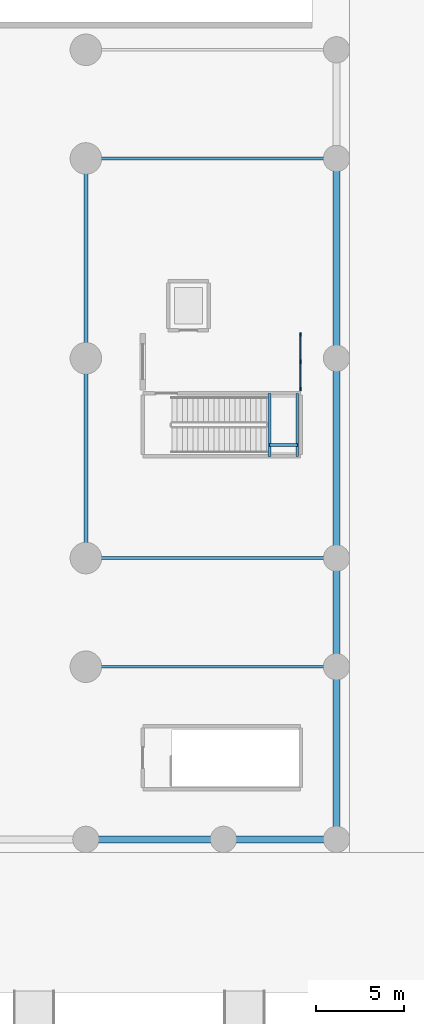
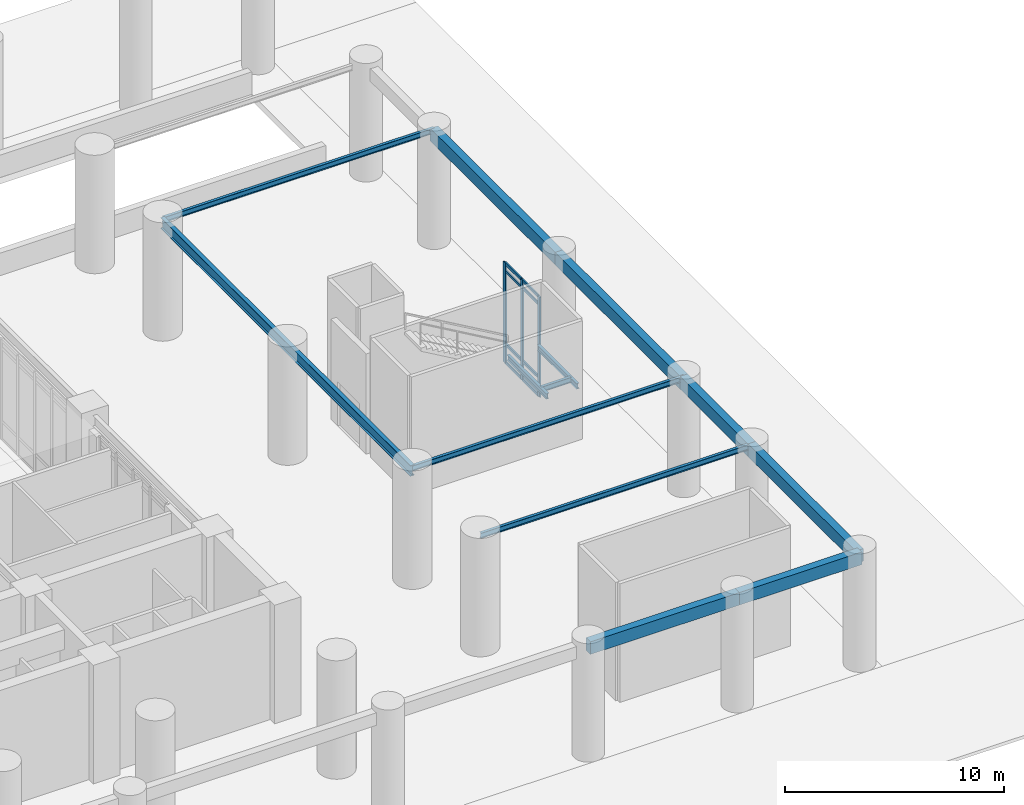
# One storey, part 4 of 16: 13 beams, 11 members, 1 element without a shape of its own.
"""IFC4 building model written with IfcOpenShell, lengths in metres."""

from ifc_helpers import new_model, si_unit, direction, frame, origin, origin_2d, place, context, subcontext, project, spatial, rectangle, i_section, extrude, material, material_profile, profile_set, type_object, element, aggregate, save


model = new_model("IFC4")

# Units and contexts
model_context = context("Model", 3, precision=1e-05, world=origin(), true_north=direction((0.0, 1.0)))
body_context = subcontext(model_context, "Body", "Model", "MODEL_VIEW")
ifc_project = project(units=[si_unit("LENGTHUNIT", "METRE"), si_unit("AREAUNIT", "SQUARE_METRE"), si_unit("VOLUMEUNIT", "CUBIC_METRE"), si_unit("PLANEANGLEUNIT", "RADIAN"), si_unit("MASSUNIT", "GRAM", prefix="KILO")], contexts=[model_context])

# Site, building, storey
site_placement = place(None, origin())
site = spatial("IfcSite", under=ifc_project, at=site_placement, CompositionType="ELEMENT")
building_placement = place(site_placement, origin())
building = spatial("IfcBuilding", under=site, at=building_placement, Name="Svetorya Sky Lyceum", CompositionType="ELEMENT")
storey_placement = place(building_placement, origin())
storey = spatial("IfcBuildingStorey", under=building, at=storey_placement, Name="L00", CompositionType="ELEMENT", Elevation=0.0)

# Beams
ifc_material_1 = material(Name="Concrete C50/60", Category="concrete")
ifc_material_profile_1 = material_profile(ifc_material_1, rectangle(XDim=0.39990234375, YDim=0.699951171875, at=origin_2d()), Name="RC SPANDREL 400x700")
ifc_profile_set_1 = profile_set([ifc_material_profile_1], Name="Concrete C50/60")
beam_type_1 = type_object("IfcBeamType", Name="BM-SPN-700", PredefinedType="SPANDREL", material=ifc_profile_set_1)
beam_1_placement = place(storey_placement, frame((63.35009765625, 0.75, 5.949951171875), z_axis=(1.0, 0.0, 0.0), x_axis=(0.0, 1.0, 0.0)))
element("IfcBeam", 1, at=beam_1_placement, inside=storey, type_object=beam_type_1, Name="L00 Podium South Spandrel 7", PredefinedType="SPANDREL", context=body_context, shape_type="SweptSolid", body=[
    extrude(rectangle(XDim=0.39990234375, YDim=0.699951171875, at=origin_2d()), origin(), (0.0, 0.0, 1.0), 7.849853515625),
])
beam_2_placement = place(storey_placement, frame((71.199951171875, 0.75, 5.949951171875), z_axis=(1.0, 0.0, 0.0), x_axis=(0.0, 1.0, 0.0)))
element("IfcBeam", 2, at=beam_2_placement, inside=storey, type_object=beam_type_1, Name="L00 Podium South Spandrel 8", PredefinedType="SPANDREL", context=body_context, shape_type="SweptSolid", body=[
    extrude(rectangle(XDim=0.39990234375, YDim=0.699951171875, at=origin_2d()), origin(), (0.0, 0.0, 1.0), 6.449951171875),
])
beam_3_placement = place(storey_placement, frame((77.64990234375, 0.75, 5.949951171875), z_axis=(0.0, 1.0, 0.0), x_axis=(-1.0, 0.0, 0.0)))
element("IfcBeam", 3, at=beam_3_placement, inside=storey, type_object=beam_type_1, Name="L00 Podium East Spandrel 1", PredefinedType="SPANDREL", context=body_context, shape_type="SweptSolid", body=[
    extrude(rectangle(XDim=0.39990234375, YDim=0.699951171875, at=origin_2d()), origin(), (0.0, 0.0, 1.0), 9.85009765625),
])
beam_4_placement = place(storey_placement, frame((77.64990234375, 10.60009765625, 5.949951171875), z_axis=(0.0, 1.0, 0.0), x_axis=(-1.0, 0.0, 0.0)))
element("IfcBeam", 4, at=beam_4_placement, inside=storey, type_object=beam_type_1, Name="L00 Podium East Spandrel 2", PredefinedType="SPANDREL", context=body_context, shape_type="SweptSolid", body=[
    extrude(rectangle(XDim=0.39990234375, YDim=0.699951171875, at=origin_2d()), origin(), (0.0, 0.0, 1.0), 6.199951171875),
])
beam_5_placement = place(storey_placement, frame((77.64990234375, 16.800048828125, 5.949951171875), z_axis=(0.0, 1.0, 0.0), x_axis=(-1.0, 0.0, 0.0)))
element("IfcBeam", 5, at=beam_5_placement, inside=storey, type_object=beam_type_1, Name="L00 Podium East Spandrel 3", PredefinedType="SPANDREL", context=body_context, shape_type="SweptSolid", body=[
    extrude(rectangle(XDim=0.39990234375, YDim=0.699951171875, at=origin_2d()), origin(), (0.0, 0.0, 1.0), 11.39990234375),
])
beam_6_placement = place(storey_placement, frame((77.64990234375, 28.199951171875, 5.949951171875), z_axis=(0.0, 1.0, 0.0), x_axis=(-1.0, 0.0, 0.0)))
element("IfcBeam", 6, at=beam_6_placement, inside=storey, type_object=beam_type_1, Name="L00 Podium East Spandrel 4", PredefinedType="SPANDREL", context=body_context, shape_type="SweptSolid", body=[
    extrude(rectangle(XDim=0.39990234375, YDim=0.699951171875, at=origin_2d()), origin(), (0.0, 0.0, 1.0), 11.400146484375),
])
ifc_material_2 = material(Name="Steel S355", Category="steel")
ifc_material_profile_2 = material_profile(ifc_material_2, i_section(OverallWidth=0.14990234375, OverallDepth=0.299072265625, WebThickness=0.006591796875, FlangeThickness=0.010498046875, at=origin_2d()), Name="GOST 30B2")
ifc_profile_set_2 = profile_set([ifc_material_profile_2], Name="Steel S355")
beam_type_2 = type_object("IfcBeamType", Name="BM-STL-30B2", PredefinedType="JOIST", material=ifc_profile_set_2)
for number, where, z_axis, x_axis, name in (
    (7, (63.35009765625, 10.60009765625, 6.150390625), (1.0, 0.0, 0.0), (0.0, 1.0, 0.0), "L00 Podium Wing Joist E1"),
    (8, (63.35009765625, 16.800048828125, 6.150390625), (1.0, 0.0, 0.0), (0.0, 1.0, 0.0), "L00 Podium Wing Joist E2"),
    (9, (63.35009765625, 39.60009765625, 6.150390625), (1.0, 0.0, 0.0), (0.0, 1.0, 0.0), "L00 Podium Wing Joist E3"),
):
    element("IfcBeam", number, at=place(storey_placement, frame(where, z_axis=z_axis, x_axis=x_axis)), inside=storey, type_object=beam_type_2, Name=name, PredefinedType="JOIST", context=body_context, shape_type="SweptSolid", body=[
        extrude(i_section(OverallWidth=0.14990234375, OverallDepth=0.299072265625, WebThickness=0.006591796875, FlangeThickness=0.010498046875, at=origin_2d()), origin(), (0.0, 0.0, 1.0), 14.2998046875),
    ])
for number, where, z_axis, x_axis, name in (
    (10, (73.830078125, 22.60009765625, 2.950439453125), (0.0, 1.0, 0.0), (-1.0, 0.0, 0.0), "L00 Stair ST-SCH-E Half-Landing Support Beam 1.1"),
    (11, (75.419921875, 22.60009765625, 2.950439453125), (0.0, 1.0, 0.0), (-1.0, 0.0, 0.0), "L00 Stair ST-SCH-E Half-Landing Support Beam 1.2"),
):
    element("IfcBeam", number, at=place(storey_placement, frame(where, z_axis=z_axis, x_axis=x_axis)), inside=storey, type_object=beam_type_2, Name=name, PredefinedType="JOIST", context=body_context, shape_type="SweptSolid", body=[
        extrude(i_section(OverallWidth=0.14990234375, OverallDepth=0.299072265625, WebThickness=0.006591796875, FlangeThickness=0.010498046875, at=origin_2d()), origin(), (0.0, 0.0, 1.0), 3.599853515625),
    ])
beam_7_placement = place(storey_placement, frame((73.830078125, 23.25, 2.950439453125), z_axis=(1.0, 0.0, 0.0), x_axis=(0.0, 1.0, 0.0)))
element("IfcBeam", 12, at=beam_7_placement, inside=storey, type_object=beam_type_2, Name="L00 Stair ST-SCH-E Half-Landing Cross Tie 1", PredefinedType="JOIST", context=body_context, shape_type="SweptSolid", body=[
    extrude(i_section(OverallWidth=0.14990234375, OverallDepth=0.299072265625, WebThickness=0.006591796875, FlangeThickness=0.010498046875, at=origin_2d()), origin(), (0.0, 0.0, 1.0), 1.58984375),
])
ifc_material_profile_3 = material_profile(ifc_material_2, i_section(OverallWidth=0.215087890625, OverallDepth=0.60009765625, WebThickness=0.011962890625, FlangeThickness=0.01904296875, at=origin_2d()), Name="GOST 60B2")
ifc_profile_set_3 = profile_set([ifc_material_profile_3], Name="Steel S355")
beam_type_3 = type_object("IfcBeamType", Name="BM-STL-60B2", PredefinedType="BEAM", material=ifc_profile_set_3)
beam_8_placement = place(storey_placement, frame((63.35009765625, 16.800048828125, 6.0), z_axis=(0.0, 1.0, 0.0), x_axis=(-1.0, 0.0, 0.0)))
element("IfcBeam", 13, at=beam_8_placement, inside=storey, type_object=beam_type_3, Name="L00 Lyceum Hall Steel Girder HG-7", PredefinedType="BEAM", context=body_context, shape_type="SweptSolid", body=[
    extrude(i_section(OverallWidth=0.215087890625, OverallDepth=0.60009765625, WebThickness=0.011962890625, FlangeThickness=0.01904296875, at=origin_2d()), origin(), (0.0, 0.0, 1.0), 22.800048828125),
])

# Curtain wall, members
ifc_material_3 = material(Name="Thermally broken anodized aluminium and triple low-E glass", Category="aluminium")
curtain_wall_type = type_object("IfcCurtainWallType", Name="CW1-POD-FOY", PredefinedType="NOTDEFINED", material=ifc_material_3)
curtain_wall_placement = place(storey_placement, origin())
curtain_wall = element("IfcCurtainWall", 14, at=curtain_wall_placement, inside=storey, type_object=curtain_wall_type, Name="Lyceum Ground Vestibule Curtain Wall E", PredefinedType="NOTDEFINED")
ifc_material_4 = material(Name="Thermally broken anodized aluminium EN AW-6060", Category="aluminium")
ifc_material_profile_4 = material_profile(ifc_material_4, rectangle(XDim=0.074951171875, YDim=0.2099609375, at=origin_2d()), Name="ALU MULLION 75x210")
ifc_profile_set_4 = profile_set([ifc_material_profile_4], Name="Thermally broken anodized aluminium EN AW-6060")
member_type_1 = type_object("IfcMemberType", Name="CWM-MUL-210", PredefinedType="MULLION", material=ifc_profile_set_4)
member_1_placement = place(storey_placement, frame((75.60009765625, 26.4375, 0.0), z_axis=(0.0, 0.0, 1.0), x_axis=(-1.0, 0.0, 0.0)))
member_1 = element("IfcMember", 15, at=member_1_placement, type_object=member_type_1, Name="CW-1 mullion 1", PredefinedType="MULLION", context=body_context, shape_type="SweptSolid", body=[
    extrude(rectangle(XDim=0.074951171875, YDim=0.2099609375, at=origin_2d()), origin(), (0.0, 0.0, 1.0), 5.580078125),
])
member_2_placement = place(storey_placement, frame((75.60009765625, 28.0, 0.0), z_axis=(0.0, 0.0, 1.0), x_axis=(-1.0, 0.0, 0.0)))
member_2 = element("IfcMember", 16, at=member_2_placement, type_object=member_type_1, Name="CW-1 mullion 2", PredefinedType="MULLION", context=body_context, shape_type="SweptSolid", body=[
    extrude(rectangle(XDim=0.074951171875, YDim=0.2099609375, at=origin_2d()), origin(), (0.0, 0.0, 1.0), 5.580078125),
])
member_3_placement = place(storey_placement, frame((75.60009765625, 29.5625, 0.0), z_axis=(0.0, 0.0, 1.0), x_axis=(-1.0, 0.0, 0.0)))
member_3 = element("IfcMember", 17, at=member_3_placement, type_object=member_type_1, Name="CW-1 mullion 3", PredefinedType="MULLION", context=body_context, shape_type="SweptSolid", body=[
    extrude(rectangle(XDim=0.074951171875, YDim=0.2099609375, at=origin_2d()), origin(), (0.0, 0.0, 1.0), 5.580078125),
])
ifc_material_profile_5 = material_profile(ifc_material_4, rectangle(XDim=0.074951171875, YDim=0.159912109375, at=origin_2d()), Name="ALU TRANSOM 75x160")
ifc_profile_set_5 = profile_set([ifc_material_profile_5], Name="Thermally broken anodized aluminium EN AW-6060")
member_type_2 = type_object("IfcMemberType", Name="CWM-TRN-160", PredefinedType="USERDEFINED", material=ifc_profile_set_5)
member_4_placement = place(storey_placement, frame((75.60009765625, 26.473388671875, 0.03759765625), z_axis=(0.0, 1.0, 0.0), x_axis=(-1.0, 0.0, 0.0)))
member_4 = element("IfcMember", 18, at=member_4_placement, type_object=member_type_2, Name="CW-1 transom 1.1", ObjectType="TRANSOM", PredefinedType="USERDEFINED", context=body_context, shape_type="SweptSolid", body=[
    extrude(rectangle(XDim=0.074951171875, YDim=0.159912109375, at=origin_2d()), origin(), (0.0, 0.0, 1.0), 1.49072265625),
])
member_5_placement = place(storey_placement, frame((75.60009765625, 26.473388671875, 1.050048828125), z_axis=(0.0, 1.0, 0.0), x_axis=(-1.0, 0.0, 0.0)))
member_5 = element("IfcMember", 19, at=member_5_placement, type_object=member_type_2, Name="CW-1 transom 1.2", ObjectType="TRANSOM", PredefinedType="USERDEFINED", context=body_context, shape_type="SweptSolid", body=[
    extrude(rectangle(XDim=0.074951171875, YDim=0.159912109375, at=origin_2d()), origin(), (0.0, 0.0, 1.0), 1.49072265625),
])
member_6_placement = place(storey_placement, frame((75.60009765625, 26.473388671875, 5.1298828125), z_axis=(0.0, 1.0, 0.0), x_axis=(-1.0, 0.0, 0.0)))
member_6 = element("IfcMember", 20, at=member_6_placement, type_object=member_type_2, Name="CW-1 transom 1.3", ObjectType="TRANSOM", PredefinedType="USERDEFINED", context=body_context, shape_type="SweptSolid", body=[
    extrude(rectangle(XDim=0.074951171875, YDim=0.159912109375, at=origin_2d()), origin(), (0.0, 0.0, 1.0), 1.49072265625),
])
member_7_placement = place(storey_placement, frame((75.60009765625, 26.473388671875, 5.54248046875), z_axis=(0.0, 1.0, 0.0), x_axis=(-1.0, 0.0, 0.0)))
member_7 = element("IfcMember", 21, at=member_7_placement, type_object=member_type_2, Name="CW-1 transom 1.4", ObjectType="TRANSOM", PredefinedType="USERDEFINED", context=body_context, shape_type="SweptSolid", body=[
    extrude(rectangle(XDim=0.074951171875, YDim=0.159912109375, at=origin_2d()), origin(), (0.0, 0.0, 1.0), 1.49072265625),
])
member_8_placement = place(storey_placement, frame((75.60009765625, 28.035888671875, 0.03759765625), z_axis=(0.0, 1.0, 0.0), x_axis=(-1.0, 0.0, 0.0)))
member_8 = element("IfcMember", 22, at=member_8_placement, type_object=member_type_2, Name="CW-1 transom 2.1", ObjectType="TRANSOM", PredefinedType="USERDEFINED", context=body_context, shape_type="SweptSolid", body=[
    extrude(rectangle(XDim=0.074951171875, YDim=0.159912109375, at=origin_2d()), origin(), (0.0, 0.0, 1.0), 1.49072265625),
])
member_9_placement = place(storey_placement, frame((75.60009765625, 28.035888671875, 1.050048828125), z_axis=(0.0, 1.0, 0.0), x_axis=(-1.0, 0.0, 0.0)))
member_9 = element("IfcMember", 23, at=member_9_placement, type_object=member_type_2, Name="CW-1 transom 2.2", ObjectType="TRANSOM", PredefinedType="USERDEFINED", context=body_context, shape_type="SweptSolid", body=[
    extrude(rectangle(XDim=0.074951171875, YDim=0.159912109375, at=origin_2d()), origin(), (0.0, 0.0, 1.0), 1.49072265625),
])
member_10_placement = place(storey_placement, frame((75.60009765625, 28.035888671875, 5.1298828125), z_axis=(0.0, 1.0, 0.0), x_axis=(-1.0, 0.0, 0.0)))
member_10 = element("IfcMember", 24, at=member_10_placement, type_object=member_type_2, Name="CW-1 transom 2.3", ObjectType="TRANSOM", PredefinedType="USERDEFINED", context=body_context, shape_type="SweptSolid", body=[
    extrude(rectangle(XDim=0.074951171875, YDim=0.159912109375, at=origin_2d()), origin(), (0.0, 0.0, 1.0), 1.49072265625),
])
member_11_placement = place(storey_placement, frame((75.60009765625, 28.035888671875, 5.54248046875), z_axis=(0.0, 1.0, 0.0), x_axis=(-1.0, 0.0, 0.0)))
member_11 = element("IfcMember", 25, at=member_11_placement, type_object=member_type_2, Name="CW-1 transom 2.4", ObjectType="TRANSOM", PredefinedType="USERDEFINED", context=body_context, shape_type="SweptSolid", body=[
    extrude(rectangle(XDim=0.074951171875, YDim=0.159912109375, at=origin_2d()), origin(), (0.0, 0.0, 1.0), 1.49072265625),
])
aggregate(curtain_wall, [member_1, member_2, member_3, member_4, member_5, member_6, member_7, member_8, member_9, member_10, member_11])

save(model, "model.ifc")
